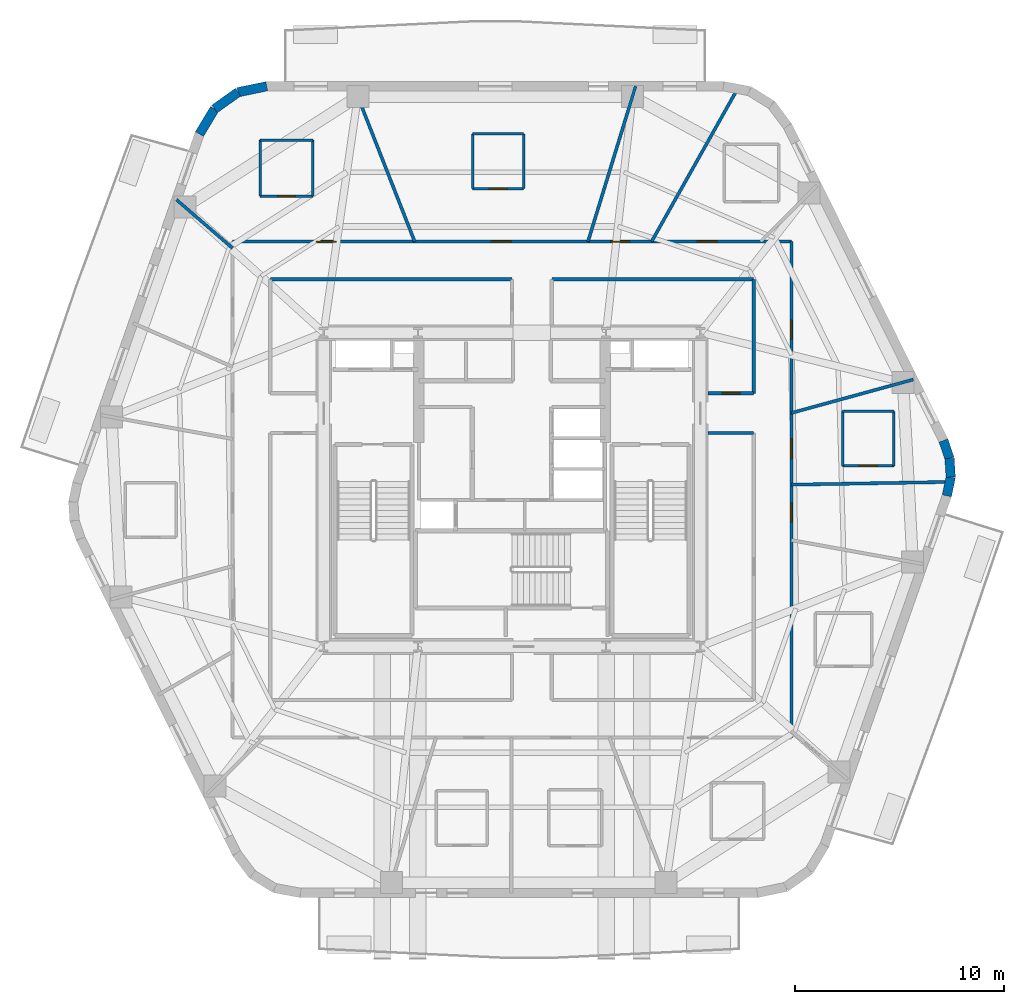
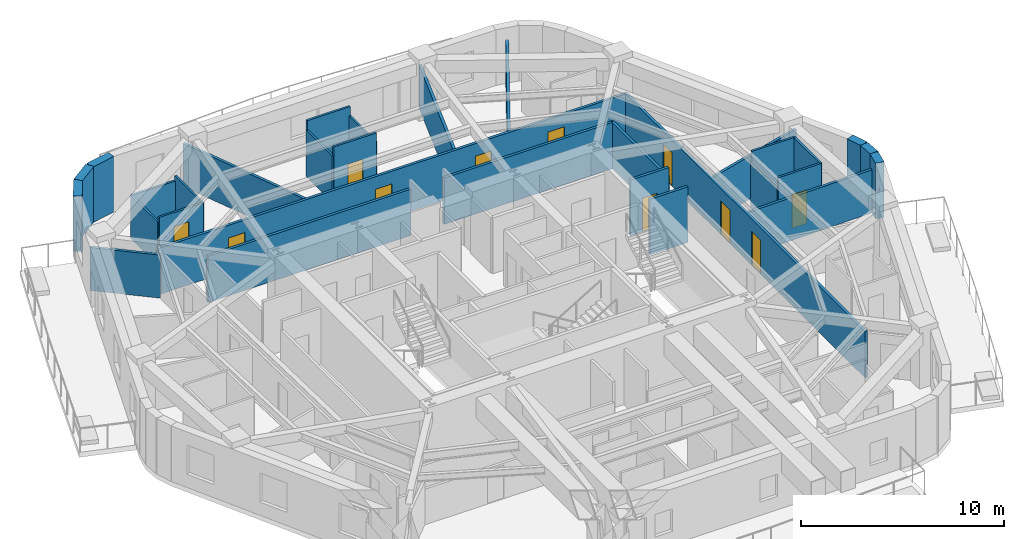
# One storey, part 6 of 11: 31 walls, 11 doors, 11 openings.
"""IFC4 building model written with IfcOpenShell, lengths in metres."""

import ifcopenshell
import ifcopenshell.guid

model = None  # the IFC model being written
_history = None  # IfcOwnerHistory: only IFC2X3 demands one
_inside = {}  # id of a spatial element -> (the spatial element, [elements in it])
_under = {}  # id of a project, library or spatial element -> (it, [spatial elements below it])
_declared = {}  # id of a project -> (the project, [libraries it declares])
_typed = {}  # id of a type object -> (the type object, [elements of that type])
_made_of = {}  # id of a material, layer set ... -> (it, [elements and type objects made of it])


def new_model(schema):
    """Start an empty IFC model of exactly this schema.

    Asked for "IFC4X3", IfcOpenShell would pick the latest addendum, in which some entities
    have other attributes; the version numbers below select the first issue.
    IFC2X3 requires an IfcOwnerHistory on every rooted entity: one is made here for all.
    """
    global model, _history
    if schema == "IFC4X3":
        model = ifcopenshell.file(schema_version=(4, 3, 0, 0))
    else:
        model = ifcopenshell.file(schema=schema)
    _inside.clear()
    _under.clear()
    _declared.clear()
    _typed.clear()
    _made_of.clear()
    _history = None
    if model.schema == "IFC2X3":
        org = make("IfcOrganization", Name="unknown")
        user = make(
            "IfcPersonAndOrganization",
            ThePerson=make("IfcPerson", FamilyName="unknown"),
            TheOrganization=org,
        )
        app = make(
            "IfcApplication",
            ApplicationDeveloper=org,
            Version="unknown",
            ApplicationFullName="unknown",
            ApplicationIdentifier="unknown",
        )
        _history = make(
            "IfcOwnerHistory",
            OwningUser=user,
            OwningApplication=app,
            ChangeAction="ADDED",
            CreationDate=0,
        )
    return model


def make(cls, **values):
    """One entity of the class cls with the attributes given. An attribute that is None is left unset."""
    return model.create_entity(
        cls, **{name: value for name, value in values.items() if value is not None}
    )


def rooted(cls, **values):
    """An entity with a GlobalId (a new one), such as an element, a storey or a relation."""
    return make(cls, GlobalId=ifcopenshell.guid.new(), OwnerHistory=_history, **values)


def si_unit(unit_type, name, prefix=None):
    """IfcSIUnit, for example si_unit("LENGTHUNIT", "METRE", prefix="MILLI")."""
    return make("IfcSIUnit", UnitType=unit_type, Prefix=prefix, Name=name)


def assignment(units):
    """IfcUnitAssignment: the units of a project."""
    return None if units is None else make("IfcUnitAssignment", Units=units)


def point(xyz):
    """IfcCartesianPoint."""
    return None if xyz is None else make("IfcCartesianPoint", Coordinates=xyz)


def direction(xyz):
    """IfcDirection."""
    return None if xyz is None else make("IfcDirection", DirectionRatios=xyz)


def frame(location, z_axis=None, x_axis=None):
    """IfcAxis2Placement3D, a coordinate frame: its origin and axes. An axis left out is left unset."""
    return make(
        "IfcAxis2Placement3D",
        Location=point(location),
        Axis=direction(z_axis),
        RefDirection=direction(x_axis),
    )


def frame_2d(location, x_axis=None):
    """IfcAxis2Placement2D, a coordinate frame in the plane: its origin and x axis."""
    return make(
        "IfcAxis2Placement2D", Location=point(location), RefDirection=direction(x_axis)
    )


def origin():
    """The frame at (0, 0, 0) with its axes left unset."""
    return frame((0.0, 0.0, 0.0))


def place(relative_to, where):
    """IfcLocalPlacement: puts the frame where relative to a parent placement (None: the world)."""
    return make(
        "IfcLocalPlacement", PlacementRelTo=relative_to, RelativePlacement=where
    )


def context(
    kind, dimensions, precision=None, world=None, true_north=None, identifier=None
):
    """IfcGeometricRepresentationContext, for example the 3D "Model" context."""
    return make(
        "IfcGeometricRepresentationContext",
        ContextIdentifier=identifier,
        ContextType=kind,
        CoordinateSpaceDimension=dimensions,
        Precision=precision,
        WorldCoordinateSystem=world,
        TrueNorth=true_north,
    )


def subcontext(parent, identifier, kind, view, scale=None):
    """IfcGeometricRepresentationSubContext, for example "Body" below "Model"."""
    return make(
        "IfcGeometricRepresentationSubContext",
        ContextIdentifier=identifier,
        ContextType=kind,
        ParentContext=parent,
        TargetScale=scale,
        TargetView=view,
    )


def project(units=None, contexts=None):
    """IfcProject with its units and contexts."""
    return rooted(
        "IfcProject",
        Name="project",
        RepresentationContexts=contexts,
        UnitsInContext=assignment(units),
    )


def spatial(cls, under=None, at=None, **own):
    """A site, building, storey or space (cls), placed at a placement, below another one or the project."""
    s = rooted(cls, ObjectPlacement=at, **own)
    if under is not None:
        _under.setdefault(under.id(), (under, []))[1].append(s)
    return s


def profile(cls, at=None, kind="AREA", **sizes):
    """A parametric profile (cls). Its sizes go by their IFC names, for example OverallWidth=200.0."""
    return make(cls, ProfileType=kind, Position=at, **sizes)


def rectangle(**sizes):
    """IfcRectangleProfileDef."""
    return profile("IfcRectangleProfileDef", **sizes)


def extrude(swept, where, along, depth):
    """IfcExtrudedAreaSolid: the profile swept, set in the frame where, extruded along a direction by depth."""
    return make(
        "IfcExtrudedAreaSolid",
        SweptArea=swept,
        Position=where,
        ExtrudedDirection=direction(along),
        Depth=depth,
    )


def shape(context_of_items, identifier, shape_type, items):
    """IfcShapeRepresentation: the items that make up one representation, for example the "Body"."""
    return make(
        "IfcShapeRepresentation",
        ContextOfItems=context_of_items,
        RepresentationIdentifier=identifier,
        RepresentationType=shape_type,
        Items=items,
    )


def material(Name=None, Category=None):
    """IfcMaterial."""
    return make("IfcMaterial", Name=Name, Category=Category)


def layer(
    of_material, thickness, ventilated=None, Name=None, Category=None, Priority=None
):
    """IfcMaterialLayer: one layer of a wall or slab, of a material (None: an air gap)."""
    return make(
        "IfcMaterialLayer",
        Material=of_material,
        LayerThickness=thickness,
        IsVentilated=ventilated,
        Name=Name,
        Category=Category,
        Priority=Priority,
    )


def layer_set(layers, Name=None):
    """IfcMaterialLayerSet."""
    return make("IfcMaterialLayerSet", MaterialLayers=layers, LayerSetName=Name)


def made_of(thing, what):
    """Note that an element or type object is made of a material, layer set ...; save() writes the relation."""
    if what is not None:
        _made_of.setdefault(what.id(), (what, []))[1].append(thing)
    return thing


def type_object(cls, material=None, **own):
    """A type object (cls), such as IfcWallType, which elements share."""
    return made_of(rooted(cls, **own), material)


def element(
    cls,
    number,
    at=None,
    inside=None,
    cuts=None,
    type_object=None,
    material=None,
    context=None,
    identifier="Body",
    shape_type=None,
    held_by="IfcProductDefinitionShape",
    body=None,
    shapes=None,
    **own,
):
    """One element of the class cls, such as IfcWall. Its Tag is "e" and its number.

    at: its placement. inside: the storey or other place that contains it. cuts: it is an
    opening in that element (IfcRelVoidsElement). A single representation is given by context,
    identifier, shape_type and body (its items); several are given by shapes. held_by: the class
    of the entity that holds the representations. save() writes the other relations.
    """
    e = rooted(cls, Tag="e%d" % number, ObjectPlacement=at, **own)
    if body is not None:
        shapes = [shape(context, identifier, shape_type, body)]
    if shapes is not None:
        e.Representation = make(held_by, Representations=shapes)
    if inside is not None:
        _inside.setdefault(inside.id(), (inside, []))[1].append(e)
    if cuts is not None:
        rooted(
            "IfcRelVoidsElement", RelatingBuildingElement=cuts, RelatedOpeningElement=e
        )
    if type_object is not None:
        _typed.setdefault(type_object.id(), (type_object, []))[1].append(e)
    return made_of(e, material)


def fill(opening, filler):
    """IfcRelFillsElement: the door or window that sits in an opening."""
    return rooted(
        "IfcRelFillsElement",
        RelatingOpeningElement=opening,
        RelatedBuildingElement=filler,
    )


def aggregate(whole, parts):
    """IfcRelAggregates: a whole, such as a stair, and the parts it consists of."""
    return rooted("IfcRelAggregates", RelatingObject=whole, RelatedObjects=parts)


def save(model, path):
    """Write the relations noted so far, then the file.

    IfcRelAggregates (storeys below a building ...), IfcRelContainedInSpatialStructure (elements
    in a storey), IfcRelDefinesByType, IfcRelAssociatesMaterial and IfcRelDeclares: one each for
    every whole, place, type object, material and project.
    """
    for whole, parts in _under.values():
        aggregate(whole, parts)
    for where, things in _inside.values():
        rooted(
            "IfcRelContainedInSpatialStructure",
            RelatedElements=things,
            RelatingStructure=where,
        )
    for kind, things in _typed.values():
        rooted("IfcRelDefinesByType", RelatedObjects=things, RelatingType=kind)
    for what, things in _made_of.values():
        rooted("IfcRelAssociatesMaterial", RelatedObjects=things, RelatingMaterial=what)
    for by, libraries in _declared.values():
        rooted("IfcRelDeclares", RelatingContext=by, RelatedDefinitions=libraries)
    model.write(path)


model = new_model("IFC4")

# Units and contexts
model_context = context("Model", 3, precision=1e-05, world=origin(), true_north=direction((0.0, 1.0)))
body_context = subcontext(model_context, "Body", "Model", "MODEL_VIEW")
ifc_project = project(units=[si_unit("LENGTHUNIT", "METRE"), si_unit("AREAUNIT", "SQUARE_METRE"), si_unit("VOLUMEUNIT", "CUBIC_METRE"), si_unit("PLANEANGLEUNIT", "RADIAN"), si_unit("MASSUNIT", "GRAM", prefix="KILO")], contexts=[model_context])

# Site, building, storey
site_placement = place(None, origin())
site = spatial("IfcSite", under=ifc_project, at=site_placement, CompositionType="ELEMENT")
building_placement = place(site_placement, origin())
building = spatial("IfcBuilding", under=site, at=building_placement, Name="Kilnhurst Terrace Hotel", CompositionType="ELEMENT")
storey_placement = place(building_placement, frame((0.0, 0.0, 197.800048828125)))
storey = spatial("IfcBuildingStorey", under=building, at=storey_placement, Name="L49", CompositionType="ELEMENT", Elevation=197.800048828125)

# Walls
ifc_material_1 = material(Name="Precast concrete C40/50", Category="concrete")
ifc_layer_1 = layer(ifc_material_1, 0.449951171875, Name="Precast concrete C40/50")
ifc_layer_set_1 = layer_set([ifc_layer_1], Name="Precast concrete C40/50")
wall_type_1 = type_object("IfcWallType", Name="WL-BRK-450", PredefinedType="SOLIDWALL", material=ifc_layer_set_1)
wall_1_placement = place(storey_placement, frame((20.78173828125, -0.298095703125, 0.0), z_axis=(0.0, 0.0, 1.0), x_axis=(0.202570068411, 0.979267771033, 0.0)))
element("IfcWall", 1, at=wall_1_placement, inside=storey, type_object=wall_type_1, Name="L49 Rounded Corner Brick Wall C3.1", PredefinedType="SOLIDWALL", context=body_context, shape_type="SweptSolid", body=[
    extrude(rectangle(XDim=0.90869140625, YDim=0.449951171875, at=frame_2d((0.454345703125, 0.0))), origin(), (0.0, 0.0, 1.0), 3.349853515625),
])
wall_2_placement = place(storey_placement, frame((20.9658203125, 0.591796875, 0.0), z_axis=(0.0, 0.0, 1.0), x_axis=(-0.061748898935, 0.998091715966, 0.0)))
element("IfcWall", 2, at=wall_2_placement, inside=storey, type_object=wall_type_1, Name="L49 Rounded Corner Brick Wall C3.2", PredefinedType="SOLIDWALL", context=body_context, shape_type="SweptSolid", body=[
    extrude(rectangle(XDim=0.8935546875, YDim=0.449951171875, at=frame_2d((0.44677734375, 0.0))), origin(), (0.0, 0.0, 1.0), 3.349853515625),
])
wall_3_placement = place(storey_placement, frame((20.91064453125, 1.483642578125, 0.0), z_axis=(0.0, 0.0, 1.0), x_axis=(-0.321623334353, 0.946867694453, 0.0)))
element("IfcWall", 3, at=wall_3_placement, inside=storey, type_object=wall_type_1, Name="L49 Rounded Corner Brick Wall C3.3", PredefinedType="SOLIDWALL", context=body_context, shape_type="SweptSolid", body=[
    extrude(rectangle(XDim=0.90869140625, YDim=0.449951171875, at=frame_2d((0.454345703125, 0.0))), origin(), (0.0, 0.0, 1.0), 3.349853515625),
])
wall_4_placement = place(storey_placement, frame((-11.720458984375, 19.27490234375, 0.0), z_axis=(0.0, 0.0, 1.0), x_axis=(-0.97893106758, -0.204191001093, 0.0)))
element("IfcWall", 4, at=wall_4_placement, inside=storey, type_object=wall_type_1, Name="L49 Rounded Corner Brick Wall C5.1", PredefinedType="SOLIDWALL", context=body_context, shape_type="SweptSolid", body=[
    extrude(rectangle(XDim=1.400146484375, YDim=0.449951171875, at=frame_2d((0.7001953125, 0.0))), origin(), (0.0, 0.0, 1.0), 3.349853515625),
])
wall_5_placement = place(storey_placement, frame((-13.091064453125, 18.989013671875, 0.0), z_axis=(0.0, 0.0, 1.0), x_axis=(-0.815574637848, -0.578651890258, 0.0)))
element("IfcWall", 5, at=wall_5_placement, inside=storey, type_object=wall_type_1, Name="L49 Rounded Corner Brick Wall C5.2", PredefinedType="SOLIDWALL", context=body_context, shape_type="SweptSolid", body=[
    extrude(rectangle(XDim=1.376708984375, YDim=0.449951171875, at=frame_2d((0.6884765625, 0.0))), origin(), (0.0, 0.0, 1.0), 3.349853515625),
])
wall_6_placement = place(storey_placement, frame((-14.2138671875, 18.1923828125, 0.0), z_axis=(0.0, 0.0, 1.0), x_axis=(-0.516340945502, -0.856383108193, 0.0)))
element("IfcWall", 6, at=wall_6_placement, inside=storey, type_object=wall_type_1, Name="L49 Rounded Corner Brick Wall C5.3", PredefinedType="SOLIDWALL", context=body_context, shape_type="SweptSolid", body=[
    extrude(rectangle(XDim=1.400146484375, YDim=0.449951171875, at=frame_2d((0.7001953125, 0.0))), origin(), (0.0, 0.0, 1.0), 3.349853515625),
])

# Wall, openings, doors
ifc_material_2 = material(Name="Acoustic Double-Gypsum Corridor Partition Assembly")
ifc_layer_2 = layer(ifc_material_2, 0.14990234375, Name="Acoustic Double-Gypsum Corridor Partition Assembly")
ifc_layer_set_2 = layer_set([ifc_layer_2], Name="Acoustic Double-Gypsum Corridor Partition Assembly")
wall_type_2 = type_object("IfcWallType", Name="WL-COR-150", PredefinedType="PARTITIONING", material=ifc_layer_set_2)
wall_7_placement = place(storey_placement, frame((-13.35009765625, 11.85009765625, 0.0), z_axis=(0.0, 0.0, 1.0), x_axis=(1.0, 0.0, 0.0)))
wall_7 = element("IfcWall", 7, at=wall_7_placement, inside=storey, type_object=wall_type_2, Name="L49 Interior Wall WL-L49-COR-03", PredefinedType="PARTITIONING", context=body_context, shape_type="SweptSolid", body=[
    extrude(rectangle(XDim=26.7001953125, YDim=0.14990234375, at=frame_2d((13.35009765625, 0.0))), origin(), (0.0, 0.0, 1.0), 2.7900390625),
])
opening_1_placement = place(wall_7_placement, frame((22.200927734375, 0.0, 0.0)))
opening_1 = element("IfcOpeningElement", 8, at=opening_1_placement, cuts=wall_7, Name="Opening D-60B", PredefinedType="OPENING", context=body_context, shape_type="SweptSolid", body=[
    extrude(rectangle(XDim=0.949951171875, YDim=2.030029296875, at=frame_2d((0.47509765625, 1.01513671875))), frame((0.0, 0.0849609375, 0.0), z_axis=(0.0, -1.0, 0.0), x_axis=(1.0, 0.0, 0.0)), (0.0, 0.0, 1.0), 0.169921875),
])
opening_2_placement = place(wall_7_placement, frame((18.069091796875, 0.0, 0.0)))
opening_2 = element("IfcOpeningElement", 9, at=opening_2_placement, cuts=wall_7, Name="Opening D-60C", PredefinedType="OPENING", context=body_context, shape_type="SweptSolid", body=[
    extrude(rectangle(XDim=0.89990234375, YDim=2.030029296875, at=frame_2d((0.449951171875, 1.01513671875))), frame((0.0, 0.0849609375, 0.0), z_axis=(0.0, -1.0, 0.0), x_axis=(1.0, 0.0, 0.0)), (0.0, 0.0, 1.0), 0.169921875),
])
opening_3_placement = place(wall_7_placement, frame((12.362060546875, 0.0, 0.0)))
opening_3 = element("IfcOpeningElement", 10, at=opening_3_placement, cuts=wall_7, Name="Opening D-60B", PredefinedType="OPENING", context=body_context, shape_type="SweptSolid", body=[
    extrude(rectangle(XDim=0.949951171875, YDim=2.030029296875, at=frame_2d((0.47509765625, 1.01513671875))), frame((0.0, 0.0849609375, 0.0), z_axis=(0.0, -1.0, 0.0), x_axis=(1.0, 0.0, 0.0)), (0.0, 0.0, 1.0), 0.169921875),
])
opening_4_placement = place(wall_7_placement, frame((3.9951171875, 0.0, 0.0)))
opening_4 = element("IfcOpeningElement", 11, at=opening_4_placement, cuts=wall_7, Name="Opening D-60B", PredefinedType="OPENING", context=body_context, shape_type="SweptSolid", body=[
    extrude(rectangle(XDim=0.949951171875, YDim=2.030029296875, at=frame_2d((0.47509765625, 1.01513671875))), frame((0.0, 0.0849609375, 0.0), z_axis=(0.0, -1.0, 0.0), x_axis=(1.0, 0.0, 0.0)), (0.0, 0.0, 1.0), 0.169921875),
])
ifc_material_3 = material(Name="Painted Solid-Core Service Fire Door")
door_type_1 = type_object("IfcDoorType", Name="DR-FD60-900", OperationType="NOTDEFINED", PredefinedType="DOOR", material=ifc_material_3)
door_1_placement = place(opening_2_placement, origin())
door_1 = element("IfcDoor", 12, at=door_1_placement, inside=storey, type_object=door_type_1, Name="L49 Executive Work Office Door 4", OperationType="SINGLE_SWING_RIGHT", OverallHeight=2.030029296875, OverallWidth=0.89990234375, PredefinedType="DOOR", context=body_context, shape_type="SweptSolid", body=[
    extrude(rectangle(XDim=0.89990234375, YDim=2.030029296875, at=frame_2d((0.449951171875, 1.01513671875))), frame((0.0, 0.02490234375, 0.0), z_axis=(0.0, -1.0, 0.0), x_axis=(1.0, 0.0, 0.0)), (0.0, 0.0, 1.0), 0.050048828125),
])
fill(opening_2, door_1)
ifc_material_4 = material(Name="Acoustic Walnut Veneer Solid-Core Fire Door")
door_type_2 = type_object("IfcDoorType", Name="DR-FD60-950", OperationType="NOTDEFINED", PredefinedType="DOOR", material=ifc_material_4)
door_2_placement = place(opening_1_placement, origin())
door_2 = element("IfcDoor", 13, at=door_2_placement, inside=storey, type_object=door_type_2, Name="L49 Guest Room Entry Door 3", OperationType="SINGLE_SWING_LEFT", OverallHeight=2.030029296875, OverallWidth=0.949951171875, PredefinedType="DOOR", context=body_context, shape_type="SweptSolid", body=[
    extrude(rectangle(XDim=0.949951171875, YDim=2.030029296875, at=frame_2d((0.47509765625, 1.01513671875))), frame((0.0, 0.02490234375, 0.0), z_axis=(0.0, -1.0, 0.0), x_axis=(1.0, 0.0, 0.0)), (0.0, 0.0, 1.0), 0.050048828125),
])
fill(opening_1, door_2)
door_3_placement = place(opening_3_placement, origin())
door_3 = element("IfcDoor", 14, at=door_3_placement, inside=storey, type_object=door_type_2, Name="L49 Executive Suite Entry Door 5", OperationType="SINGLE_SWING_LEFT", OverallHeight=2.030029296875, OverallWidth=0.949951171875, PredefinedType="DOOR", context=body_context, shape_type="SweptSolid", body=[
    extrude(rectangle(XDim=0.949951171875, YDim=2.030029296875, at=frame_2d((0.47509765625, 1.01513671875))), frame((0.0, 0.02490234375, 0.0), z_axis=(0.0, -1.0, 0.0), x_axis=(1.0, 0.0, 0.0)), (0.0, 0.0, 1.0), 0.050048828125),
])
fill(opening_3, door_3)
door_4_placement = place(opening_4_placement, origin())
door_4 = element("IfcDoor", 15, at=door_4_placement, inside=storey, type_object=door_type_2, Name="L49 Guest Room Entry Door 6", OperationType="SINGLE_SWING_RIGHT", OverallHeight=2.030029296875, OverallWidth=0.949951171875, PredefinedType="DOOR", context=body_context, shape_type="SweptSolid", body=[
    extrude(rectangle(XDim=0.949951171875, YDim=2.030029296875, at=frame_2d((0.47509765625, 1.01513671875))), frame((0.0, 0.02490234375, 0.0), z_axis=(0.0, -1.0, 0.0), x_axis=(1.0, 0.0, 0.0)), (0.0, 0.0, 1.0), 0.050048828125),
])
fill(opening_4, door_4)

wall_8_placement = place(storey_placement, frame((13.35009765625, 11.85009765625, 0.0), z_axis=(0.0, 0.0, 1.0), x_axis=(0.0, -1.0, 0.0)))
wall_8 = element("IfcWall", 16, at=wall_8_placement, inside=storey, type_object=wall_type_2, Name="L49 Interior Wall WL-L49-COR-04", PredefinedType="PARTITIONING", context=body_context, shape_type="SweptSolid", body=[
    extrude(rectangle(XDim=23.7001953125, YDim=0.14990234375, at=frame_2d((11.85009765625, 0.0))), origin(), (0.0, 0.0, 1.0), 2.7900390625),
])
opening_5_placement = place(wall_8_placement, frame((9.424072265625, 0.0, 0.0)))
opening_5 = element("IfcOpeningElement", 17, at=opening_5_placement, cuts=wall_8, Name="Opening D-60B", PredefinedType="OPENING", context=body_context, shape_type="SweptSolid", body=[
    extrude(rectangle(XDim=0.949951171875, YDim=2.030029296875, at=frame_2d((0.47509765625, 1.01513671875))), frame((0.0, 0.0849609375, 0.0), z_axis=(0.0, -1.0, 0.0), x_axis=(1.0, 0.0, 0.0)), (0.0, 0.0, 1.0), 0.169921875),
])
opening_6_placement = place(wall_8_placement, frame((3.764892578125, 0.0, 0.0)))
opening_6 = element("IfcOpeningElement", 18, at=opening_6_placement, cuts=wall_8, Name="Opening D-60C", PredefinedType="OPENING", context=body_context, shape_type="SweptSolid", body=[
    extrude(rectangle(XDim=0.89990234375, YDim=2.030029296875, at=frame_2d((0.449951171875, 1.01513671875))), frame((0.0, 0.0849609375, 0.0), z_axis=(0.0, -1.0, 0.0), x_axis=(1.0, 0.0, 0.0)), (0.0, 0.0, 1.0), 0.169921875),
])
opening_7_placement = place(wall_8_placement, frame((12.493896484375, 0.0, 0.0)))
opening_7 = element("IfcOpeningElement", 19, at=opening_7_placement, cuts=wall_8, Name="Opening D-60C", PredefinedType="OPENING", context=body_context, shape_type="SweptSolid", body=[
    extrude(rectangle(XDim=0.89990234375, YDim=2.030029296875, at=frame_2d((0.449951171875, 1.01513671875))), frame((0.0, 0.0849609375, 0.0), z_axis=(0.0, -1.0, 0.0), x_axis=(1.0, 0.0, 0.0)), (0.0, 0.0, 1.0), 0.169921875),
])
door_5_placement = place(opening_6_placement, origin())
door_5 = element("IfcDoor", 20, at=door_5_placement, inside=storey, type_object=door_type_1, Name="L49 Private Study Salon Door 2", OperationType="SINGLE_SWING_RIGHT", OverallHeight=2.030029296875, OverallWidth=0.89990234375, PredefinedType="DOOR", context=body_context, shape_type="SweptSolid", body=[
    extrude(rectangle(XDim=0.89990234375, YDim=2.030029296875, at=frame_2d((0.449951171875, 1.01513671875))), frame((0.0, 0.02490234375, 0.0), z_axis=(0.0, -1.0, 0.0), x_axis=(1.0, 0.0, 0.0)), (0.0, 0.0, 1.0), 0.050048828125),
])
fill(opening_6, door_5)
door_6_placement = place(opening_7_placement, origin())
door_6 = element("IfcDoor", 21, at=door_6_placement, inside=storey, type_object=door_type_1, Name="L49 Private Study Salon Door 17", OperationType="SINGLE_SWING_LEFT", OverallHeight=2.030029296875, OverallWidth=0.89990234375, PredefinedType="DOOR", context=body_context, shape_type="SweptSolid", body=[
    extrude(rectangle(XDim=0.89990234375, YDim=2.030029296875, at=frame_2d((0.449951171875, 1.01513671875))), frame((0.0, 0.02490234375, 0.0), z_axis=(0.0, -1.0, 0.0), x_axis=(1.0, 0.0, 0.0)), (0.0, 0.0, 1.0), 0.050048828125),
])
fill(opening_7, door_6)
door_7_placement = place(opening_5_placement, origin())
door_7 = element("IfcDoor", 22, at=door_7_placement, inside=storey, type_object=door_type_2, Name="L49 Guest Room Entry Door 1", OperationType="SINGLE_SWING_LEFT", OverallHeight=2.030029296875, OverallWidth=0.949951171875, PredefinedType="DOOR", context=body_context, shape_type="SweptSolid", body=[
    extrude(rectangle(XDim=0.949951171875, YDim=2.030029296875, at=frame_2d((0.47509765625, 1.01513671875))), frame((0.0, 0.02490234375, 0.0), z_axis=(0.0, -1.0, 0.0), x_axis=(1.0, 0.0, 0.0)), (0.0, 0.0, 1.0), 0.050048828125),
])
fill(opening_5, door_7)

# Wall
wall_9_placement = place(storey_placement, frame((11.550048828125, 2.699951171875, 0.0), z_axis=(0.0, 0.0, 1.0), x_axis=(-1.0, 0.0, 0.0)))
element("IfcWall", 23, at=wall_9_placement, inside=storey, type_object=wall_type_2, Name="L49 Interior Wall WL-L49-COR-06", PredefinedType="PARTITIONING", context=body_context, shape_type="SweptSolid", body=[
    extrude(rectangle(XDim=2.175048828125, YDim=0.14990234375, at=frame_2d((1.08740234375, 0.0))), origin(), (0.0, 0.0, 1.0), 3.349853515625),
])

# Wall, opening, door
wall_10_placement = place(storey_placement, frame((9.375, 4.60009765625, 0.0), z_axis=(0.0, 0.0, 1.0), x_axis=(1.0, 0.0, 0.0)))
wall_10 = element("IfcWall", 24, at=wall_10_placement, inside=storey, type_object=wall_type_2, Name="L49 Interior Wall WL-L49-COR-07", PredefinedType="PARTITIONING", context=body_context, shape_type="SweptSolid", body=[
    extrude(rectangle(XDim=2.175048828125, YDim=0.14990234375, at=frame_2d((1.08740234375, 0.0))), origin(), (0.0, 0.0, 1.0), 3.349853515625),
])
opening_8_placement = place(wall_10_placement, frame((0.6630859375, 0.0, 0.0)))
opening_8 = element("IfcOpeningElement", 25, at=opening_8_placement, cuts=wall_10, Name="Opening D-60D", PredefinedType="OPENING", context=body_context, shape_type="SweptSolid", body=[
    extrude(rectangle(XDim=0.85009765625, YDim=2.030029296875, at=frame_2d((0.425048828125, 1.01513671875))), frame((0.0, 0.0849609375, 0.0), z_axis=(0.0, -1.0, 0.0), x_axis=(1.0, 0.0, 0.0)), (0.0, 0.0, 1.0), 0.169921875),
])
ifc_material_5 = material(Name="Painted Hollow Metal Steel ASTM A36 Riser Door", Category="steel")
door_type_3 = type_object("IfcDoorType", Name="DR-FD60-850", OperationType="NOTDEFINED", PredefinedType="DOOR", material=ifc_material_5)
door_8_placement = place(opening_8_placement, origin())
door_8 = element("IfcDoor", 26, at=door_8_placement, inside=storey, type_object=door_type_3, Name="L49 Floor Beverage Service Room Door", OperationType="SINGLE_SWING_LEFT", OverallHeight=2.030029296875, OverallWidth=0.85009765625, PredefinedType="DOOR", context=body_context, shape_type="SweptSolid", body=[
    extrude(rectangle(XDim=0.85009765625, YDim=2.030029296875, at=frame_2d((0.425048828125, 1.01513671875))), frame((0.0, 0.02490234375, 0.0), z_axis=(0.0, -1.0, 0.0), x_axis=(1.0, 0.0, 0.0)), (0.0, 0.0, 1.0), 0.050048828125),
])
fill(opening_8, door_8)

# Walls
wall_11_placement = place(storey_placement, frame((11.550048828125, 4.60009765625, 0.0), z_axis=(0.0, 0.0, 1.0), x_axis=(0.0, 1.0, 0.0)))
element("IfcWall", 27, at=wall_11_placement, inside=storey, type_object=wall_type_2, Name="L49 Interior Wall WL-L49-COR-08", PredefinedType="PARTITIONING", context=body_context, shape_type="SweptSolid", body=[
    extrude(rectangle(XDim=5.449951171875, YDim=0.14990234375, at=frame_2d((2.72509765625, 0.0))), origin(), (0.0, 0.0, 1.0), 2.7900390625),
])
wall_12_placement = place(storey_placement, frame((11.550048828125, 10.050048828125, 0.0), z_axis=(0.0, 0.0, 1.0), x_axis=(-1.0, 0.0, 0.0)))
element("IfcWall", 28, at=wall_12_placement, inside=storey, type_object=wall_type_2, Name="L49 Interior Wall WL-L49-COR-09", PredefinedType="PARTITIONING", context=body_context, shape_type="SweptSolid", body=[
    extrude(rectangle(XDim=9.650146484375, YDim=0.14990234375, at=frame_2d((4.8251953125, 0.0))), origin(), (0.0, 0.0, 1.0), 2.7900390625),
])
wall_13_placement = place(storey_placement, frame((0.0, 10.050048828125, 0.0), z_axis=(0.0, 0.0, 1.0), x_axis=(-1.0, 0.0, 0.0)))
element("IfcWall", 29, at=wall_13_placement, inside=storey, type_object=wall_type_2, Name="L49 Interior Wall WL-L49-COR-12", PredefinedType="PARTITIONING", context=body_context, shape_type="SweptSolid", body=[
    extrude(rectangle(XDim=11.550048828125, YDim=0.14990234375, at=frame_2d((5.77490234375, 0.0))), origin(), (0.0, 0.0, 1.0), 2.7900390625),
])
ifc_material_6 = material(Name="STC-58 Acoustic Twin-Frame Guestroom Demising Partition")
ifc_layer_3 = layer(ifc_material_6, 0.14990234375, Name="STC-58 Acoustic Twin-Frame Guestroom Demising Partition")
ifc_layer_set_3 = layer_set([ifc_layer_3], Name="STC-58 Acoustic Twin-Frame Guestroom Demising Partition")
wall_type_3 = type_object("IfcWallType", Name="WL-DEM-150", PredefinedType="PARTITIONING", material=ifc_layer_set_3)
wall_14_placement = place(storey_placement, frame((13.35009765625, 0.23291015625, 0.0), z_axis=(0.0, 0.0, 1.0), x_axis=(0.999847932133, 0.017438824797, 0.0)))
element("IfcWall", 30, at=wall_14_placement, inside=storey, type_object=wall_type_3, Name="L49 Interior Wall WL-L49-DEM-MID12-01-1", PredefinedType="PARTITIONING", context=body_context, shape_type="SweptSolid", body=[
    extrude(rectangle(XDim=7.406005859375, YDim=0.14990234375, at=frame_2d((3.703125, 0.0))), origin(), (0.0, 0.0, 1.0), 2.58984375),
])
wall_15_placement = place(storey_placement, frame((13.35009765625, 3.66064453125, 0.0), z_axis=(0.0, 0.0, 1.0), x_axis=(0.964397145454, 0.264458211898, 0.0)))
element("IfcWall", 31, at=wall_15_placement, inside=storey, type_object=wall_type_3, Name="L49 Interior Wall WL-L49-DEM-COL01-02-1", PredefinedType="PARTITIONING", context=body_context, shape_type="SweptSolid", body=[
    extrude(rectangle(XDim=6.03857421875, YDim=0.14990234375, at=frame_2d((3.019287109375, 0.0))), origin(), (0.0, 0.0, 1.0), 2.58984375),
])
wall_16_placement = place(storey_placement, frame((6.670166015625, 11.85009765625, 0.0), z_axis=(0.0, 0.0, 1.0), x_axis=(0.490522493943, 0.871428530022, 0.0)))
element("IfcWall", 32, at=wall_16_placement, inside=storey, type_object=wall_type_3, Name="L49 Interior Wall WL-L49-DEM-MID02-04-1", PredefinedType="PARTITIONING", context=body_context, shape_type="SweptSolid", body=[
    extrude(rectangle(XDim=8.207275390625, YDim=0.14990234375, at=frame_2d((4.103515625, 0.0))), origin(), (0.0, 0.0, 1.0), 2.58984375),
])
wall_17_placement = place(storey_placement, frame((3.63134765625, 11.85009765625, 0.0), z_axis=(0.0, 0.0, 1.0), x_axis=(0.293007573338, 0.956110120209, 0.0)))
element("IfcWall", 33, at=wall_17_placement, inside=storey, type_object=wall_type_3, Name="L49 Interior Wall WL-L49-DEM-COL03-05-1", PredefinedType="PARTITIONING", context=body_context, shape_type="SweptSolid", body=[
    extrude(rectangle(XDim=7.765625, YDim=0.14990234375, at=frame_2d((3.8828125, 0.0))), origin(), (0.0, 0.0, 1.0), 2.58984375),
])
wall_18_placement = place(storey_placement, frame((-4.64990234375, 11.85009765625, 0.0), z_axis=(0.0, 0.0, 1.0), x_axis=(-0.365265947993, 0.930903210456, 0.0)))
element("IfcWall", 34, at=wall_18_placement, inside=storey, type_object=wall_type_3, Name="L49 Interior Wall WL-L49-DEM-COL04-06-1", PredefinedType="PARTITIONING", context=body_context, shape_type="SweptSolid", body=[
    extrude(rectangle(XDim=7.975830078125, YDim=0.14990234375, at=frame_2d((3.98779296875, 0.0))), origin(), (0.0, 0.0, 1.0), 2.58984375),
])
wall_19_placement = place(storey_placement, frame((-13.35009765625, 11.53271484375, 0.0), z_axis=(0.0, 0.0, 1.0), x_axis=(-0.756711647314, 0.65374879183, 0.0)))
element("IfcWall", 35, at=wall_19_placement, inside=storey, type_object=wall_type_3, Name="L49 Interior Wall WL-L49-DEM-COL05-07-1", PredefinedType="PARTITIONING", context=body_context, shape_type="SweptSolid", body=[
    extrude(rectangle(XDim=3.549560546875, YDim=0.14990234375, at=frame_2d((1.77490234375, 0.0))), origin(), (0.0, 0.0, 1.0), 2.58984375),
])

# Wall, opening, door
ifc_material_7 = material(Name="120 mm Moisture-Resistant Tile-Backed Bathroom Partition")
ifc_layer_4 = layer(ifc_material_7, 0.1201171875, Name="120 mm Moisture-Resistant Tile-Backed Bathroom Partition")
ifc_layer_set_4 = layer_set([ifc_layer_4], Name="120 mm Moisture-Resistant Tile-Backed Bathroom Partition")
wall_type_4 = type_object("IfcWallType", Name="WL-PART-120", PredefinedType="PARTITIONING", material=ifc_layer_set_4)
wall_20_placement = place(storey_placement, frame((15.805908203125, 1.12890625, 0.0), z_axis=(0.0, 0.0, 1.0), x_axis=(1.0, 0.0, 0.0)))
wall_20 = element("IfcWall", 36, at=wall_20_placement, inside=storey, type_object=wall_type_4, Name="L49 Interior Wall WL-L49-BTH-01-1", PredefinedType="PARTITIONING", context=body_context, shape_type="SweptSolid", body=[
    extrude(rectangle(XDim=2.440185546875, YDim=0.1201171875, at=frame_2d((1.22021484375, 0.0))), origin(), (0.0, 0.0, 1.0), 3.349853515625),
])
opening_9_placement = place(wall_20_placement, frame((0.794921875, 0.0, 0.0)))
opening_9 = element("IfcOpeningElement", 37, at=opening_9_placement, cuts=wall_20, Name="Opening D-08A", PredefinedType="OPENING", context=body_context, shape_type="SweptSolid", body=[
    extrude(rectangle(XDim=0.85009765625, YDim=2.030029296875, at=frame_2d((0.425048828125, 1.01513671875))), frame((0.0, 0.070068359375, 0.0), z_axis=(0.0, -1.0, 0.0), x_axis=(1.0, 0.0, 0.0)), (0.0, 0.0, 1.0), 0.14013671875),
])
ifc_material_8 = material(Name="Moisture-Resistant Lacquered En-suite Bathroom Door")
door_type_4 = type_object("IfcDoorType", Name="DR-INT-850", OperationType="NOTDEFINED", PredefinedType="DOOR", material=ifc_material_8)
door_9_placement = place(opening_9_placement, origin())
door_9 = element("IfcDoor", 38, at=door_9_placement, inside=storey, type_object=door_type_4, Name="L49 En-suite Bathroom Door 1", OperationType="SINGLE_SWING_RIGHT", OverallHeight=2.030029296875, OverallWidth=0.85009765625, PredefinedType="DOOR", context=body_context, shape_type="SweptSolid", body=[
    extrude(rectangle(XDim=0.85009765625, YDim=2.030029296875, at=frame_2d((0.425048828125, 1.01513671875))), frame((0.0, 0.02490234375, 0.0), z_axis=(0.0, -1.0, 0.0), x_axis=(1.0, 0.0, 0.0)), (0.0, 0.0, 1.0), 0.050048828125),
])
fill(opening_9, door_9)

# Walls
wall_21_placement = place(storey_placement, frame((18.24609375, 1.12890625, 0.0), z_axis=(0.0, 0.0, 1.0), x_axis=(0.0, 1.0, 0.0)))
element("IfcWall", 39, at=wall_21_placement, inside=storey, type_object=wall_type_4, Name="L49 Interior Wall WL-L49-BTH-01-2", PredefinedType="PARTITIONING", context=body_context, shape_type="SweptSolid", body=[
    extrude(rectangle(XDim=2.610107421875, YDim=0.1201171875, at=frame_2d((1.30517578125, 0.0))), origin(), (0.0, 0.0, 1.0), 3.349853515625),
])
wall_22_placement = place(storey_placement, frame((18.24609375, 3.739013671875, 0.0), z_axis=(0.0, 0.0, 1.0), x_axis=(-1.0, 0.0, 0.0)))
element("IfcWall", 40, at=wall_22_placement, inside=storey, type_object=wall_type_4, Name="L49 Interior Wall WL-L49-BTH-01-3", PredefinedType="PARTITIONING", context=body_context, shape_type="SweptSolid", body=[
    extrude(rectangle(XDim=2.440185546875, YDim=0.1201171875, at=frame_2d((1.22021484375, 0.0))), origin(), (0.0, 0.0, 1.0), 3.349853515625),
])
wall_23_placement = place(storey_placement, frame((15.805908203125, 3.739013671875, 0.0), z_axis=(0.0, 0.0, 1.0), x_axis=(0.0, -1.0, 0.0)))
element("IfcWall", 41, at=wall_23_placement, inside=storey, type_object=wall_type_4, Name="L49 Interior Wall WL-L49-BTH-01-4", PredefinedType="PARTITIONING", context=body_context, shape_type="SweptSolid", body=[
    extrude(rectangle(XDim=2.610107421875, YDim=0.1201171875, at=frame_2d((1.30517578125, 0.0))), origin(), (0.0, 0.0, 1.0), 2.79052734375),
])

# Wall, opening, door
wall_24_placement = place(storey_placement, frame((-1.87890625, 14.383056640625, 0.0), z_axis=(0.0, 0.0, 1.0), x_axis=(1.0, 0.0, 0.0)))
wall_24 = element("IfcWall", 42, at=wall_24_placement, inside=storey, type_object=wall_type_4, Name="L49 Interior Wall WL-L49-BTH-05-1", PredefinedType="PARTITIONING", context=body_context, shape_type="SweptSolid", body=[
    extrude(rectangle(XDim=2.43994140625, YDim=0.1201171875, at=frame_2d((1.219970703125, 0.0))), origin(), (0.0, 0.0, 1.0), 3.349853515625),
])
opening_10_placement = place(wall_24_placement, frame((0.794921875, 0.0, 0.0)))
opening_10 = element("IfcOpeningElement", 43, at=opening_10_placement, cuts=wall_24, Name="Opening D-08A", PredefinedType="OPENING", context=body_context, shape_type="SweptSolid", body=[
    extrude(rectangle(XDim=0.85009765625, YDim=2.030029296875, at=frame_2d((0.425048828125, 1.01513671875))), frame((0.0, 0.070068359375, 0.0), z_axis=(0.0, -1.0, 0.0), x_axis=(1.0, 0.0, 0.0)), (0.0, 0.0, 1.0), 0.14013671875),
])
door_10_placement = place(opening_10_placement, origin())
door_10 = element("IfcDoor", 44, at=door_10_placement, inside=storey, type_object=door_type_4, Name="L49 En-suite Bathroom Door 5", OperationType="SINGLE_SWING_RIGHT", OverallHeight=2.030029296875, OverallWidth=0.85009765625, PredefinedType="DOOR", context=body_context, shape_type="SweptSolid", body=[
    extrude(rectangle(XDim=0.85009765625, YDim=2.030029296875, at=frame_2d((0.425048828125, 1.01513671875))), frame((0.0, 0.02490234375, 0.0), z_axis=(0.0, -1.0, 0.0), x_axis=(1.0, 0.0, 0.0)), (0.0, 0.0, 1.0), 0.050048828125),
])
fill(opening_10, door_10)

# Walls
wall_25_placement = place(storey_placement, frame((0.56103515625, 14.383056640625, 0.0), z_axis=(0.0, 0.0, 1.0), x_axis=(0.0, 1.0, 0.0)))
element("IfcWall", 45, at=wall_25_placement, inside=storey, type_object=wall_type_4, Name="L49 Interior Wall WL-L49-BTH-05-2", PredefinedType="PARTITIONING", context=body_context, shape_type="SweptSolid", body=[
    extrude(rectangle(XDim=2.60986328125, YDim=0.1201171875, at=frame_2d((1.304931640625, 0.0))), origin(), (0.0, 0.0, 1.0), 2.79052734375),
])
wall_26_placement = place(storey_placement, frame((0.56103515625, 16.992919921875, 0.0), z_axis=(0.0, 0.0, 1.0), x_axis=(-1.0, 0.0, 0.0)))
element("IfcWall", 46, at=wall_26_placement, inside=storey, type_object=wall_type_4, Name="L49 Interior Wall WL-L49-BTH-05-3", PredefinedType="PARTITIONING", context=body_context, shape_type="SweptSolid", body=[
    extrude(rectangle(XDim=2.43994140625, YDim=0.1201171875, at=frame_2d((1.219970703125, 0.0))), origin(), (0.0, 0.0, 1.0), 3.349853515625),
])
wall_27_placement = place(storey_placement, frame((-1.87890625, 16.992919921875, 0.0), z_axis=(0.0, 0.0, 1.0), x_axis=(0.0, -1.0, 0.0)))
element("IfcWall", 47, at=wall_27_placement, inside=storey, type_object=wall_type_4, Name="L49 Interior Wall WL-L49-BTH-05-4", PredefinedType="PARTITIONING", context=body_context, shape_type="SweptSolid", body=[
    extrude(rectangle(XDim=2.60986328125, YDim=0.1201171875, at=frame_2d((1.304931640625, 0.0))), origin(), (0.0, 0.0, 1.0), 2.79052734375),
])

# Wall, opening, door
wall_28_placement = place(storey_placement, frame((-12.035888671875, 14.02197265625, 0.0), z_axis=(0.0, 0.0, 1.0), x_axis=(1.0, 0.0, 0.0)))
wall_28 = element("IfcWall", 48, at=wall_28_placement, inside=storey, type_object=wall_type_4, Name="L49 Interior Wall WL-L49-BTH-06-1", PredefinedType="PARTITIONING", context=body_context, shape_type="SweptSolid", body=[
    extrude(rectangle(XDim=2.519775390625, YDim=0.1201171875, at=frame_2d((1.259765625, 0.0))), origin(), (0.0, 0.0, 1.0), 2.87646484375),
])
opening_11_placement = place(wall_28_placement, frame((0.8349609375, 0.0, 0.0)))
opening_11 = element("IfcOpeningElement", 49, at=opening_11_placement, cuts=wall_28, Name="Opening D-08A", PredefinedType="OPENING", context=body_context, shape_type="SweptSolid", body=[
    extrude(rectangle(XDim=0.85009765625, YDim=2.030029296875, at=frame_2d((0.425048828125, 1.01513671875))), frame((0.0, 0.070068359375, 0.0), z_axis=(0.0, -1.0, 0.0), x_axis=(1.0, 0.0, 0.0)), (0.0, 0.0, 1.0), 0.14013671875),
])
door_11_placement = place(opening_11_placement, origin())
door_11 = element("IfcDoor", 50, at=door_11_placement, inside=storey, type_object=door_type_4, Name="L49 En-suite Bathroom Door 6", OperationType="SINGLE_SWING_LEFT", OverallHeight=2.030029296875, OverallWidth=0.85009765625, PredefinedType="DOOR", context=body_context, shape_type="SweptSolid", body=[
    extrude(rectangle(XDim=0.85009765625, YDim=2.030029296875, at=frame_2d((0.425048828125, 1.01513671875))), frame((0.0, 0.02490234375, 0.0), z_axis=(0.0, -1.0, 0.0), x_axis=(1.0, 0.0, 0.0)), (0.0, 0.0, 1.0), 0.050048828125),
])
fill(opening_11, door_11)

# Walls
wall_29_placement = place(storey_placement, frame((-9.51611328125, 14.02197265625, 0.0), z_axis=(0.0, 0.0, 1.0), x_axis=(0.0, 1.0, 0.0)))
element("IfcWall", 51, at=wall_29_placement, inside=storey, type_object=wall_type_4, Name="L49 Interior Wall WL-L49-BTH-06-2", PredefinedType="PARTITIONING", context=body_context, shape_type="SweptSolid", body=[
    extrude(rectangle(XDim=2.679931640625, YDim=0.1201171875, at=frame_2d((1.33984375, 0.0))), origin(), (0.0, 0.0, 1.0), 2.87646484375),
])
wall_30_placement = place(storey_placement, frame((-9.51611328125, 16.701904296875, 0.0), z_axis=(0.0, 0.0, 1.0), x_axis=(-1.0, 0.0, 0.0)))
element("IfcWall", 52, at=wall_30_placement, inside=storey, type_object=wall_type_4, Name="L49 Interior Wall WL-L49-BTH-06-3", PredefinedType="PARTITIONING", context=body_context, shape_type="SweptSolid", body=[
    extrude(rectangle(XDim=2.519775390625, YDim=0.1201171875, at=frame_2d((1.259765625, 0.0))), origin(), (0.0, 0.0, 1.0), 2.58984375),
])
wall_31_placement = place(storey_placement, frame((-12.035888671875, 16.701904296875, 0.0), z_axis=(0.0, 0.0, 1.0), x_axis=(0.0, -1.0, 0.0)))
element("IfcWall", 53, at=wall_31_placement, inside=storey, type_object=wall_type_4, Name="L49 Interior Wall WL-L49-BTH-06-4", PredefinedType="PARTITIONING", context=body_context, shape_type="SweptSolid", body=[
    extrude(rectangle(XDim=2.679931640625, YDim=0.1201171875, at=frame_2d((1.33984375, 0.0))), origin(), (0.0, 0.0, 1.0), 2.58984375),
])

save(model, "model.ifc")
